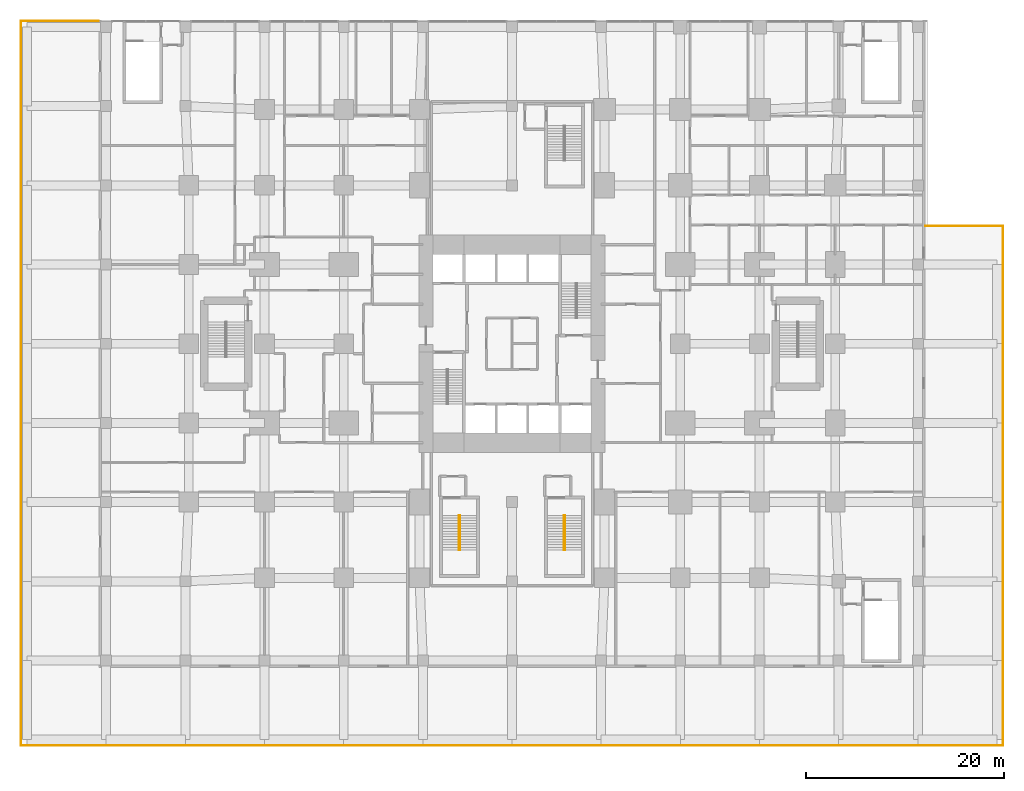
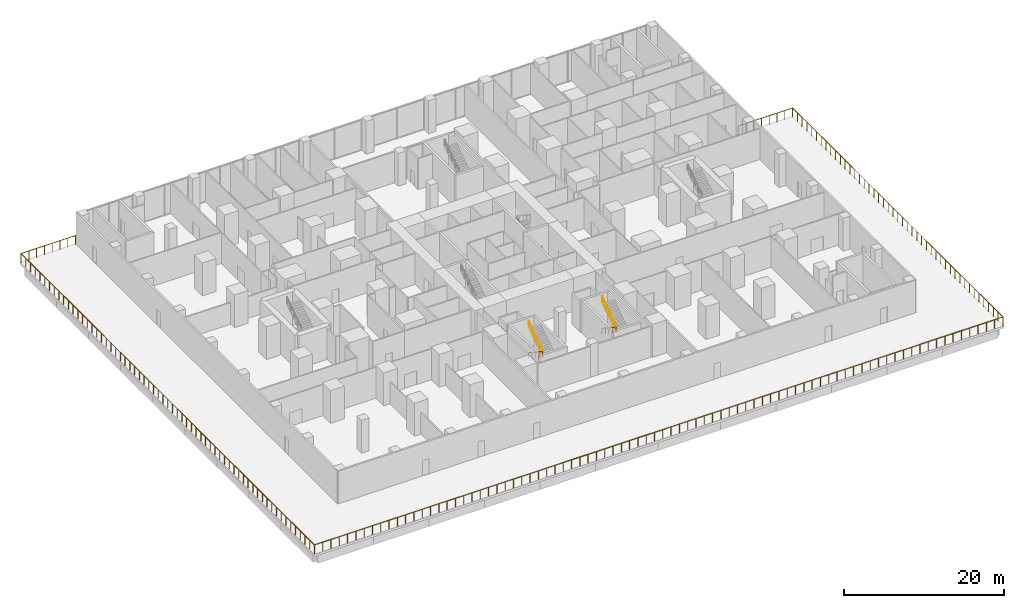
# One storey, part 17 of 19: 6 railings.
"""IFC4 building model written with IfcOpenShell, lengths in metres."""

from ifc_helpers import new_model, si_unit, direction, frame, origin, origin_2d, place, context, subcontext, project, spatial, circle, extrude, material, type_object, element, save


model = new_model("IFC4")

# Units and contexts
model_context = context("Model", 3, precision=1e-05, world=origin(), true_north=direction((0.0, 1.0)))
body_context = subcontext(model_context, "Body", "Model", "MODEL_VIEW")
ifc_project = project(units=[si_unit("LENGTHUNIT", "METRE"), si_unit("AREAUNIT", "SQUARE_METRE"), si_unit("VOLUMEUNIT", "CUBIC_METRE"), si_unit("PLANEANGLEUNIT", "RADIAN"), si_unit("MASSUNIT", "GRAM", prefix="KILO")], contexts=[model_context])

# Site, building, storey
site_placement = place(None, origin())
site = spatial("IfcSite", under=ifc_project, at=site_placement, CompositionType="ELEMENT")
building_placement = place(site_placement, origin())
building = spatial("IfcBuilding", under=site, at=building_placement, Name="Cleftline Residences", CompositionType="ELEMENT")
storey_placement = place(building_placement, frame((0.0, 0.0, 11.0)))
storey = spatial("IfcBuildingStorey", under=building, at=storey_placement, Name="L02", CompositionType="ELEMENT", Elevation=11.0)

# Railings
ifc_material_1 = material(Name="Stainless steel", Category="steel")
railing_type_1 = type_object("IfcRailingType", Name="HANDRAIL 900", PredefinedType="HANDRAIL", material=ifc_material_1)
railing_1_placement = place(storey_placement, frame((27.64990234375, 6.669921875, 0.1787109375)))
element("IfcRailing", 1, at=railing_1_placement, inside=storey, type_object=railing_type_1, Name="Stair handrail", PredefinedType="HANDRAIL", context=body_context, shape_type="SweptSolid", body=[
    extrude(circle(Radius=0.02392578125, at=origin_2d()), frame((0.0, 0.0, 0.8759765625), z_axis=(0.0, -0.834097473627, 0.551617081397), x_axis=(1.0, 0.0, 0.0)), (0.0, 0.0, 1.0), 4.208251953125),
    extrude(circle(Radius=0.02099609375, at=origin_2d()), origin(), (0.0, 0.0, 1.0), 0.851806640625),
    extrude(circle(Radius=0.02099609375, at=origin_2d()), frame((0.0, -0.87744140625, 0.580322265625)), (0.0, 0.0, 1.0), 0.851806640625),
    extrude(circle(Radius=0.02099609375, at=origin_2d()), frame((0.0, -1.7548828125, 1.16064453125)), (0.0, 0.0, 1.0), 0.851806640625),
    extrude(circle(Radius=0.02099609375, at=origin_2d()), frame((0.0, -2.632568359375, 1.740966796875)), (0.0, 0.0, 1.0), 0.851806640625),
    extrude(circle(Radius=0.02099609375, at=origin_2d()), frame((0.0, -3.510009765625, 2.3212890625)), (0.0, 0.0, 1.0), 0.851806640625),
])
railing_2_placement = place(storey_placement, frame((27.75, 3.159912109375, 2.6787109375)))
element("IfcRailing", 2, at=railing_2_placement, inside=storey, type_object=railing_type_1, Name="Stair handrail", PredefinedType="HANDRAIL", context=body_context, shape_type="SweptSolid", body=[
    extrude(circle(Radius=0.02392578125, at=origin_2d()), frame((0.0, 0.0, 0.8759765625), z_axis=(0.0, 0.834097473627, 0.551617081397), x_axis=(-1.0, 0.0, 0.0)), (0.0, 0.0, 1.0), 4.208251953125),
    extrude(circle(Radius=0.02099609375, at=origin_2d()), origin(), (0.0, 0.0, 1.0), 0.851806640625),
    extrude(circle(Radius=0.02099609375, at=origin_2d()), frame((0.0, 0.87744140625, 0.580322265625)), (0.0, 0.0, 1.0), 0.851806640625),
    extrude(circle(Radius=0.02099609375, at=origin_2d()), frame((0.0, 1.7548828125, 1.16064453125)), (0.0, 0.0, 1.0), 0.851806640625),
    extrude(circle(Radius=0.02099609375, at=origin_2d()), frame((0.0, 2.632568359375, 1.740966796875)), (0.0, 0.0, 1.0), 0.851806640625),
    extrude(circle(Radius=0.02099609375, at=origin_2d()), frame((0.0, 3.510009765625, 2.3212890625)), (0.0, 0.0, 1.0), 0.851806640625),
])
railing_3_placement = place(storey_placement, frame((38.25, 6.669921875, 0.1787109375)))
element("IfcRailing", 3, at=railing_3_placement, inside=storey, type_object=railing_type_1, Name="Stair handrail", PredefinedType="HANDRAIL", context=body_context, shape_type="SweptSolid", body=[
    extrude(circle(Radius=0.02392578125, at=origin_2d()), frame((0.0, 0.0, 0.8759765625), z_axis=(0.0, -0.834097473627, 0.551617081397), x_axis=(1.0, 0.0, 0.0)), (0.0, 0.0, 1.0), 4.208251953125),
    extrude(circle(Radius=0.02099609375, at=origin_2d()), origin(), (0.0, 0.0, 1.0), 0.851806640625),
    extrude(circle(Radius=0.02099609375, at=origin_2d()), frame((0.0, -0.87744140625, 0.580322265625)), (0.0, 0.0, 1.0), 0.851806640625),
    extrude(circle(Radius=0.02099609375, at=origin_2d()), frame((0.0, -1.7548828125, 1.16064453125)), (0.0, 0.0, 1.0), 0.851806640625),
    extrude(circle(Radius=0.02099609375, at=origin_2d()), frame((0.0, -2.632568359375, 1.740966796875)), (0.0, 0.0, 1.0), 0.851806640625),
    extrude(circle(Radius=0.02099609375, at=origin_2d()), frame((0.0, -3.510009765625, 2.3212890625)), (0.0, 0.0, 1.0), 0.851806640625),
])
railing_4_placement = place(storey_placement, frame((38.35009765625, 3.159912109375, 2.6787109375)))
element("IfcRailing", 4, at=railing_4_placement, inside=storey, type_object=railing_type_1, Name="Stair handrail", PredefinedType="HANDRAIL", context=body_context, shape_type="SweptSolid", body=[
    extrude(circle(Radius=0.02392578125, at=origin_2d()), frame((0.0, 0.0, 0.8759765625), z_axis=(0.0, 0.834097473627, 0.551617081397), x_axis=(-1.0, 0.0, 0.0)), (0.0, 0.0, 1.0), 4.208251953125),
    extrude(circle(Radius=0.02099609375, at=origin_2d()), origin(), (0.0, 0.0, 1.0), 0.851806640625),
    extrude(circle(Radius=0.02099609375, at=origin_2d()), frame((0.0, 0.87744140625, 0.580322265625)), (0.0, 0.0, 1.0), 0.851806640625),
    extrude(circle(Radius=0.02099609375, at=origin_2d()), frame((0.0, 1.7548828125, 1.16064453125)), (0.0, 0.0, 1.0), 0.851806640625),
    extrude(circle(Radius=0.02099609375, at=origin_2d()), frame((0.0, 2.632568359375, 1.740966796875)), (0.0, 0.0, 1.0), 0.851806640625),
    extrude(circle(Radius=0.02099609375, at=origin_2d()), frame((0.0, 3.510009765625, 2.3212890625)), (0.0, 0.0, 1.0), 0.851806640625),
])
ifc_material_2 = material(Name="Stainless steel and laminated glass", Category="steel")
railing_type_2 = type_object("IfcRailingType", Name="TERRACE GUARD 1400", PredefinedType="GUARDRAIL", material=ifc_material_2)
railing_5_placement = place(storey_placement, frame((-16.60009765625, -16.60009765625, 0.0)))
element("IfcRailing", 5, at=railing_5_placement, inside=storey, type_object=railing_type_2, Name="Terrace guard", PredefinedType="GUARDRAIL", context=body_context, shape_type="SweptSolid", body=[
    extrude(circle(Radius=0.02392578125, at=origin_2d()), frame((0.0, 0.0, 1.3759765625), z_axis=(0.0, 1.0, 0.0), x_axis=(-1.0, 0.0, 0.0)), (0.0, 0.0, 1.0), 73.2001953125),
    extrude(circle(Radius=0.02392578125, at=origin_2d()), frame((0.0, 73.2001953125, 1.3759765625), z_axis=(1.0, 0.0, 0.0), x_axis=(0.0, 1.0, 0.0)), (0.0, 0.0, 1.0), 7.85009765625),
    extrude(circle(Radius=0.02099609375, at=origin_2d()), origin(), (0.0, 0.0, 1.0), 1.351806640625),
    extrude(circle(Radius=0.02099609375, at=origin_2d()), frame((0.0, 1.1806640625, 0.0)), (0.0, 0.0, 1.0), 1.351806640625),
    extrude(circle(Radius=0.02099609375, at=origin_2d()), frame((0.0, 2.361328125, 0.0)), (0.0, 0.0, 1.0), 1.351806640625),
    extrude(circle(Radius=0.02099609375, at=origin_2d()), frame((0.0, 3.5419921875, 0.0)), (0.0, 0.0, 1.0), 1.351806640625),
    extrude(circle(Radius=0.02099609375, at=origin_2d()), frame((0.0, 4.72265625, 0.0)), (0.0, 0.0, 1.0), 1.351806640625),
    extrude(circle(Radius=0.02099609375, at=origin_2d()), frame((0.0, 5.9033203125, 0.0)), (0.0, 0.0, 1.0), 1.351806640625),
    extrude(circle(Radius=0.02099609375, at=origin_2d()), frame((0.0, 7.083984375, 0.0)), (0.0, 0.0, 1.0), 1.351806640625),
    extrude(circle(Radius=0.02099609375, at=origin_2d()), frame((0.0, 8.2646484375, 0.0)), (0.0, 0.0, 1.0), 1.351806640625),
    extrude(circle(Radius=0.02099609375, at=origin_2d()), frame((0.0, 9.445068359375, 0.0)), (0.0, 0.0, 1.0), 1.351806640625),
    extrude(circle(Radius=0.02099609375, at=origin_2d()), frame((0.0, 10.625732421875, 0.0)), (0.0, 0.0, 1.0), 1.351806640625),
    extrude(circle(Radius=0.02099609375, at=origin_2d()), frame((0.0, 11.806396484375, 0.0)), (0.0, 0.0, 1.0), 1.351806640625),
    extrude(circle(Radius=0.02099609375, at=origin_2d()), frame((0.0, 12.987060546875, 0.0)), (0.0, 0.0, 1.0), 1.351806640625),
    extrude(circle(Radius=0.02099609375, at=origin_2d()), frame((0.0, 14.167724609375, 0.0)), (0.0, 0.0, 1.0), 1.351806640625),
    extrude(circle(Radius=0.02099609375, at=origin_2d()), frame((0.0, 15.348388671875, 0.0)), (0.0, 0.0, 1.0), 1.351806640625),
    extrude(circle(Radius=0.02099609375, at=origin_2d()), frame((0.0, 16.529052734375, 0.0)), (0.0, 0.0, 1.0), 1.351806640625),
    extrude(circle(Radius=0.02099609375, at=origin_2d()), frame((0.0, 17.709716796875, 0.0)), (0.0, 0.0, 1.0), 1.351806640625),
    extrude(circle(Radius=0.02099609375, at=origin_2d()), frame((0.0, 18.890380859375, 0.0)), (0.0, 0.0, 1.0), 1.351806640625),
    extrude(circle(Radius=0.02099609375, at=origin_2d()), frame((0.0, 20.071044921875, 0.0)), (0.0, 0.0, 1.0), 1.351806640625),
    extrude(circle(Radius=0.02099609375, at=origin_2d()), frame((0.0, 21.251708984375, 0.0)), (0.0, 0.0, 1.0), 1.351806640625),
    extrude(circle(Radius=0.02099609375, at=origin_2d()), frame((0.0, 22.432373046875, 0.0)), (0.0, 0.0, 1.0), 1.351806640625),
    extrude(circle(Radius=0.02099609375, at=origin_2d()), frame((0.0, 23.613037109375, 0.0)), (0.0, 0.0, 1.0), 1.351806640625),
    extrude(circle(Radius=0.02099609375, at=origin_2d()), frame((0.0, 24.793701171875, 0.0)), (0.0, 0.0, 1.0), 1.351806640625),
    extrude(circle(Radius=0.02099609375, at=origin_2d()), frame((0.0, 25.974365234375, 0.0)), (0.0, 0.0, 1.0), 1.351806640625),
    extrude(circle(Radius=0.02099609375, at=origin_2d()), frame((0.0, 27.155029296875, 0.0)), (0.0, 0.0, 1.0), 1.351806640625),
    extrude(circle(Radius=0.02099609375, at=origin_2d()), frame((0.0, 28.33544921875, 0.0)), (0.0, 0.0, 1.0), 1.351806640625),
    extrude(circle(Radius=0.02099609375, at=origin_2d()), frame((0.0, 29.51611328125, 0.0)), (0.0, 0.0, 1.0), 1.351806640625),
    extrude(circle(Radius=0.02099609375, at=origin_2d()), frame((0.0, 30.69677734375, 0.0)), (0.0, 0.0, 1.0), 1.351806640625),
    extrude(circle(Radius=0.02099609375, at=origin_2d()), frame((0.0, 31.87744140625, 0.0)), (0.0, 0.0, 1.0), 1.351806640625),
    extrude(circle(Radius=0.02099609375, at=origin_2d()), frame((0.0, 33.05810546875, 0.0)), (0.0, 0.0, 1.0), 1.351806640625),
    extrude(circle(Radius=0.02099609375, at=origin_2d()), frame((0.0, 34.23876953125, 0.0)), (0.0, 0.0, 1.0), 1.351806640625),
    extrude(circle(Radius=0.02099609375, at=origin_2d()), frame((0.0, 35.41943359375, 0.0)), (0.0, 0.0, 1.0), 1.351806640625),
    extrude(circle(Radius=0.02099609375, at=origin_2d()), frame((0.0, 36.60009765625, 0.0)), (0.0, 0.0, 1.0), 1.351806640625),
    extrude(circle(Radius=0.02099609375, at=origin_2d()), frame((0.0, 37.78076171875, 0.0)), (0.0, 0.0, 1.0), 1.351806640625),
    extrude(circle(Radius=0.02099609375, at=origin_2d()), frame((0.0, 38.96142578125, 0.0)), (0.0, 0.0, 1.0), 1.351806640625),
    extrude(circle(Radius=0.02099609375, at=origin_2d()), frame((0.0, 40.14208984375, 0.0)), (0.0, 0.0, 1.0), 1.351806640625),
    extrude(circle(Radius=0.02099609375, at=origin_2d()), frame((0.0, 41.32275390625, 0.0)), (0.0, 0.0, 1.0), 1.351806640625),
    extrude(circle(Radius=0.02099609375, at=origin_2d()), frame((0.0, 42.50341796875, 0.0)), (0.0, 0.0, 1.0), 1.351806640625),
    extrude(circle(Radius=0.02099609375, at=origin_2d()), frame((0.0, 43.68408203125, 0.0)), (0.0, 0.0, 1.0), 1.351806640625),
    extrude(circle(Radius=0.02099609375, at=origin_2d()), frame((0.0, 44.86474609375, 0.0)), (0.0, 0.0, 1.0), 1.351806640625),
    extrude(circle(Radius=0.02099609375, at=origin_2d()), frame((0.0, 46.045166015625, 0.0)), (0.0, 0.0, 1.0), 1.351806640625),
    extrude(circle(Radius=0.02099609375, at=origin_2d()), frame((0.0, 47.225830078125, 0.0)), (0.0, 0.0, 1.0), 1.351806640625),
    extrude(circle(Radius=0.02099609375, at=origin_2d()), frame((0.0, 48.406494140625, 0.0)), (0.0, 0.0, 1.0), 1.351806640625),
    extrude(circle(Radius=0.02099609375, at=origin_2d()), frame((0.0, 49.587158203125, 0.0)), (0.0, 0.0, 1.0), 1.351806640625),
    extrude(circle(Radius=0.02099609375, at=origin_2d()), frame((0.0, 50.767822265625, 0.0)), (0.0, 0.0, 1.0), 1.351806640625),
    extrude(circle(Radius=0.02099609375, at=origin_2d()), frame((0.0, 51.948486328125, 0.0)), (0.0, 0.0, 1.0), 1.351806640625),
    extrude(circle(Radius=0.02099609375, at=origin_2d()), frame((0.0, 53.129150390625, 0.0)), (0.0, 0.0, 1.0), 1.351806640625),
    extrude(circle(Radius=0.02099609375, at=origin_2d()), frame((0.0, 54.309814453125, 0.0)), (0.0, 0.0, 1.0), 1.351806640625),
    extrude(circle(Radius=0.02099609375, at=origin_2d()), frame((0.0, 55.490478515625, 0.0)), (0.0, 0.0, 1.0), 1.351806640625),
    extrude(circle(Radius=0.02099609375, at=origin_2d()), frame((0.0, 56.671142578125, 0.0)), (0.0, 0.0, 1.0), 1.351806640625),
    extrude(circle(Radius=0.02099609375, at=origin_2d()), frame((0.0, 57.851806640625, 0.0)), (0.0, 0.0, 1.0), 1.351806640625),
    extrude(circle(Radius=0.02099609375, at=origin_2d()), frame((0.0, 59.032470703125, 0.0)), (0.0, 0.0, 1.0), 1.351806640625),
    extrude(circle(Radius=0.02099609375, at=origin_2d()), frame((0.0, 60.213134765625, 0.0)), (0.0, 0.0, 1.0), 1.351806640625),
    extrude(circle(Radius=0.02099609375, at=origin_2d()), frame((0.0, 61.393798828125, 0.0)), (0.0, 0.0, 1.0), 1.351806640625),
    extrude(circle(Radius=0.02099609375, at=origin_2d()), frame((0.0, 62.574462890625, 0.0)), (0.0, 0.0, 1.0), 1.351806640625),
    extrude(circle(Radius=0.02099609375, at=origin_2d()), frame((0.0, 63.755126953125, 0.0)), (0.0, 0.0, 1.0), 1.351806640625),
    extrude(circle(Radius=0.02099609375, at=origin_2d()), frame((0.0, 64.935546875, 0.0)), (0.0, 0.0, 1.0), 1.351806640625),
    extrude(circle(Radius=0.02099609375, at=origin_2d()), frame((0.0, 66.1162109375, 0.0)), (0.0, 0.0, 1.0), 1.351806640625),
    extrude(circle(Radius=0.02099609375, at=origin_2d()), frame((0.0, 67.296875, 0.0)), (0.0, 0.0, 1.0), 1.351806640625),
    extrude(circle(Radius=0.02099609375, at=origin_2d()), frame((0.0, 68.4775390625, 0.0)), (0.0, 0.0, 1.0), 1.351806640625),
    extrude(circle(Radius=0.02099609375, at=origin_2d()), frame((0.0, 69.658203125, 0.0)), (0.0, 0.0, 1.0), 1.351806640625),
    extrude(circle(Radius=0.02099609375, at=origin_2d()), frame((0.0, 70.8388671875, 0.0)), (0.0, 0.0, 1.0), 1.351806640625),
    extrude(circle(Radius=0.02099609375, at=origin_2d()), frame((0.0, 72.01953125, 0.0)), (0.0, 0.0, 1.0), 1.351806640625),
    extrude(circle(Radius=0.02099609375, at=origin_2d()), frame((0.0, 73.2001953125, 0.0)), (0.0, 0.0, 1.0), 1.351806640625),
    extrude(circle(Radius=0.02099609375, at=origin_2d()), frame((1.121337890625, 73.2001953125, 0.0)), (0.0, 0.0, 1.0), 1.351806640625),
    extrude(circle(Radius=0.02099609375, at=origin_2d()), frame((2.242919921875, 73.2001953125, 0.0)), (0.0, 0.0, 1.0), 1.351806640625),
    extrude(circle(Radius=0.02099609375, at=origin_2d()), frame((3.3642578125, 73.2001953125, 0.0)), (0.0, 0.0, 1.0), 1.351806640625),
    extrude(circle(Radius=0.02099609375, at=origin_2d()), frame((4.48583984375, 73.2001953125, 0.0)), (0.0, 0.0, 1.0), 1.351806640625),
    extrude(circle(Radius=0.02099609375, at=origin_2d()), frame((5.607177734375, 73.2001953125, 0.0)), (0.0, 0.0, 1.0), 1.351806640625),
    extrude(circle(Radius=0.02099609375, at=origin_2d()), frame((6.728759765625, 73.2001953125, 0.0)), (0.0, 0.0, 1.0), 1.351806640625),
    extrude(circle(Radius=0.02099609375, at=origin_2d()), frame((7.85009765625, 73.2001953125, 0.0)), (0.0, 0.0, 1.0), 1.351806640625),
])
railing_6_placement = place(storey_placement, frame((74.75, 35.89990234375, 0.0)))
element("IfcRailing", 6, at=railing_6_placement, inside=storey, type_object=railing_type_2, Name="Terrace guard", PredefinedType="GUARDRAIL", context=body_context, shape_type="SweptSolid", body=[
    extrude(circle(Radius=0.02392578125, at=origin_2d()), frame((0.0, 0.0, 1.3759765625), z_axis=(1.0, 0.0, 0.0), x_axis=(0.0, 1.0, 0.0)), (0.0, 0.0, 1.0), 7.85009765625),
    extrude(circle(Radius=0.02392578125, at=origin_2d()), frame((7.85009765625, 0.0, 1.3759765625), z_axis=(0.0, -1.0, 0.0), x_axis=(1.0, 0.0, 0.0)), (0.0, 0.0, 1.0), 52.5),
    extrude(circle(Radius=0.02392578125, at=origin_2d()), frame((7.85009765625, -52.5, 1.3759765625), z_axis=(-1.0, 0.0, 0.0), x_axis=(0.0, -1.0, 0.0)), (0.0, 0.0, 1.0), 99.2001953125),
    extrude(circle(Radius=0.02099609375, at=origin_2d()), origin(), (0.0, 0.0, 1.0), 1.351806640625),
    extrude(circle(Radius=0.02099609375, at=origin_2d()), frame((1.121337890625, 0.0, 0.0)), (0.0, 0.0, 1.0), 1.351806640625),
    extrude(circle(Radius=0.02099609375, at=origin_2d()), frame((2.242919921875, 0.0, 0.0)), (0.0, 0.0, 1.0), 1.351806640625),
    extrude(circle(Radius=0.02099609375, at=origin_2d()), frame((3.3642578125, 0.0, 0.0)), (0.0, 0.0, 1.0), 1.351806640625),
    extrude(circle(Radius=0.02099609375, at=origin_2d()), frame((4.48583984375, 0.0, 0.0)), (0.0, 0.0, 1.0), 1.351806640625),
    extrude(circle(Radius=0.02099609375, at=origin_2d()), frame((5.607177734375, 0.0, 0.0)), (0.0, 0.0, 1.0), 1.351806640625),
    extrude(circle(Radius=0.02099609375, at=origin_2d()), frame((6.728759765625, 0.0, 0.0)), (0.0, 0.0, 1.0), 1.351806640625),
    extrude(circle(Radius=0.02099609375, at=origin_2d()), frame((7.85009765625, 0.0, 0.0)), (0.0, 0.0, 1.0), 1.351806640625),
    extrude(circle(Radius=0.02099609375, at=origin_2d()), frame((7.85009765625, -1.193115234375, 0.0)), (0.0, 0.0, 1.0), 1.351806640625),
    extrude(circle(Radius=0.02099609375, at=origin_2d()), frame((7.85009765625, -2.386474609375, 0.0)), (0.0, 0.0, 1.0), 1.351806640625),
    extrude(circle(Radius=0.02099609375, at=origin_2d()), frame((7.85009765625, -3.57958984375, 0.0)), (0.0, 0.0, 1.0), 1.351806640625),
    extrude(circle(Radius=0.02099609375, at=origin_2d()), frame((7.85009765625, -4.772705078125, 0.0)), (0.0, 0.0, 1.0), 1.351806640625),
    extrude(circle(Radius=0.02099609375, at=origin_2d()), frame((7.85009765625, -5.9658203125, 0.0)), (0.0, 0.0, 1.0), 1.351806640625),
    extrude(circle(Radius=0.02099609375, at=origin_2d()), frame((7.85009765625, -7.1591796875, 0.0)), (0.0, 0.0, 1.0), 1.351806640625),
    extrude(circle(Radius=0.02099609375, at=origin_2d()), frame((7.85009765625, -8.352294921875, 0.0)), (0.0, 0.0, 1.0), 1.351806640625),
    extrude(circle(Radius=0.02099609375, at=origin_2d()), frame((7.85009765625, -9.54541015625, 0.0)), (0.0, 0.0, 1.0), 1.351806640625),
    extrude(circle(Radius=0.02099609375, at=origin_2d()), frame((7.85009765625, -10.738525390625, 0.0)), (0.0, 0.0, 1.0), 1.351806640625),
    extrude(circle(Radius=0.02099609375, at=origin_2d()), frame((7.85009765625, -11.931884765625, 0.0)), (0.0, 0.0, 1.0), 1.351806640625),
    extrude(circle(Radius=0.02099609375, at=origin_2d()), frame((7.85009765625, -13.125, 0.0)), (0.0, 0.0, 1.0), 1.351806640625),
    extrude(circle(Radius=0.02099609375, at=origin_2d()), frame((7.85009765625, -14.318115234375, 0.0)), (0.0, 0.0, 1.0), 1.351806640625),
    extrude(circle(Radius=0.02099609375, at=origin_2d()), frame((7.85009765625, -15.511474609375, 0.0)), (0.0, 0.0, 1.0), 1.351806640625),
    extrude(circle(Radius=0.02099609375, at=origin_2d()), frame((7.85009765625, -16.70458984375, 0.0)), (0.0, 0.0, 1.0), 1.351806640625),
    extrude(circle(Radius=0.02099609375, at=origin_2d()), frame((7.85009765625, -17.897705078125, 0.0)), (0.0, 0.0, 1.0), 1.351806640625),
    extrude(circle(Radius=0.02099609375, at=origin_2d()), frame((7.85009765625, -19.0908203125, 0.0)), (0.0, 0.0, 1.0), 1.351806640625),
    extrude(circle(Radius=0.02099609375, at=origin_2d()), frame((7.85009765625, -20.2841796875, 0.0)), (0.0, 0.0, 1.0), 1.351806640625),
    extrude(circle(Radius=0.02099609375, at=origin_2d()), frame((7.85009765625, -21.477294921875, 0.0)), (0.0, 0.0, 1.0), 1.351806640625),
    extrude(circle(Radius=0.02099609375, at=origin_2d()), frame((7.85009765625, -22.67041015625, 0.0)), (0.0, 0.0, 1.0), 1.351806640625),
    extrude(circle(Radius=0.02099609375, at=origin_2d()), frame((7.85009765625, -23.863525390625, 0.0)), (0.0, 0.0, 1.0), 1.351806640625),
    extrude(circle(Radius=0.02099609375, at=origin_2d()), frame((7.85009765625, -25.056884765625, 0.0)), (0.0, 0.0, 1.0), 1.351806640625),
    extrude(circle(Radius=0.02099609375, at=origin_2d()), frame((7.85009765625, -26.25, 0.0)), (0.0, 0.0, 1.0), 1.351806640625),
    extrude(circle(Radius=0.02099609375, at=origin_2d()), frame((7.85009765625, -27.443115234375, 0.0)), (0.0, 0.0, 1.0), 1.351806640625),
    extrude(circle(Radius=0.02099609375, at=origin_2d()), frame((7.85009765625, -28.636474609375, 0.0)), (0.0, 0.0, 1.0), 1.351806640625),
    extrude(circle(Radius=0.02099609375, at=origin_2d()), frame((7.85009765625, -29.82958984375, 0.0)), (0.0, 0.0, 1.0), 1.351806640625),
    extrude(circle(Radius=0.02099609375, at=origin_2d()), frame((7.85009765625, -31.022705078125, 0.0)), (0.0, 0.0, 1.0), 1.351806640625),
    extrude(circle(Radius=0.02099609375, at=origin_2d()), frame((7.85009765625, -32.2158203125, 0.0)), (0.0, 0.0, 1.0), 1.351806640625),
    extrude(circle(Radius=0.02099609375, at=origin_2d()), frame((7.85009765625, -33.4091796875, 0.0)), (0.0, 0.0, 1.0), 1.351806640625),
    extrude(circle(Radius=0.02099609375, at=origin_2d()), frame((7.85009765625, -34.602294921875, 0.0)), (0.0, 0.0, 1.0), 1.351806640625),
    extrude(circle(Radius=0.02099609375, at=origin_2d()), frame((7.85009765625, -35.79541015625, 0.0)), (0.0, 0.0, 1.0), 1.351806640625),
    extrude(circle(Radius=0.02099609375, at=origin_2d()), frame((7.85009765625, -36.988525390625, 0.0)), (0.0, 0.0, 1.0), 1.351806640625),
    extrude(circle(Radius=0.02099609375, at=origin_2d()), frame((7.85009765625, -38.181884765625, 0.0)), (0.0, 0.0, 1.0), 1.351806640625),
    extrude(circle(Radius=0.02099609375, at=origin_2d()), frame((7.85009765625, -39.375, 0.0)), (0.0, 0.0, 1.0), 1.351806640625),
    extrude(circle(Radius=0.02099609375, at=origin_2d()), frame((7.85009765625, -40.568115234375, 0.0)), (0.0, 0.0, 1.0), 1.351806640625),
    extrude(circle(Radius=0.02099609375, at=origin_2d()), frame((7.85009765625, -41.761474609375, 0.0)), (0.0, 0.0, 1.0), 1.351806640625),
    extrude(circle(Radius=0.02099609375, at=origin_2d()), frame((7.85009765625, -42.95458984375, 0.0)), (0.0, 0.0, 1.0), 1.351806640625),
    extrude(circle(Radius=0.02099609375, at=origin_2d()), frame((7.85009765625, -44.147705078125, 0.0)), (0.0, 0.0, 1.0), 1.351806640625),
    extrude(circle(Radius=0.02099609375, at=origin_2d()), frame((7.85009765625, -45.3408203125, 0.0)), (0.0, 0.0, 1.0), 1.351806640625),
    extrude(circle(Radius=0.02099609375, at=origin_2d()), frame((7.85009765625, -46.5341796875, 0.0)), (0.0, 0.0, 1.0), 1.351806640625),
    extrude(circle(Radius=0.02099609375, at=origin_2d()), frame((7.85009765625, -47.727294921875, 0.0)), (0.0, 0.0, 1.0), 1.351806640625),
    extrude(circle(Radius=0.02099609375, at=origin_2d()), frame((7.85009765625, -48.92041015625, 0.0)), (0.0, 0.0, 1.0), 1.351806640625),
    extrude(circle(Radius=0.02099609375, at=origin_2d()), frame((7.85009765625, -50.113525390625, 0.0)), (0.0, 0.0, 1.0), 1.351806640625),
    extrude(circle(Radius=0.02099609375, at=origin_2d()), frame((7.85009765625, -51.306884765625, 0.0)), (0.0, 0.0, 1.0), 1.351806640625),
    extrude(circle(Radius=0.02099609375, at=origin_2d()), frame((7.85009765625, -52.5, 0.0)), (0.0, 0.0, 1.0), 1.351806640625),
    extrude(circle(Radius=0.02099609375, at=origin_2d()), frame((6.655029296875, -52.5, 0.0)), (0.0, 0.0, 1.0), 1.351806640625),
    extrude(circle(Radius=0.02099609375, at=origin_2d()), frame((5.459716796875, -52.5, 0.0)), (0.0, 0.0, 1.0), 1.351806640625),
    extrude(circle(Radius=0.02099609375, at=origin_2d()), frame((4.2646484375, -52.5, 0.0)), (0.0, 0.0, 1.0), 1.351806640625),
    extrude(circle(Radius=0.02099609375, at=origin_2d()), frame((3.0693359375, -52.5, 0.0)), (0.0, 0.0, 1.0), 1.351806640625),
    extrude(circle(Radius=0.02099609375, at=origin_2d()), frame((1.874267578125, -52.5, 0.0)), (0.0, 0.0, 1.0), 1.351806640625),
    extrude(circle(Radius=0.02099609375, at=origin_2d()), frame((0.678955078125, -52.5, 0.0)), (0.0, 0.0, 1.0), 1.351806640625),
    extrude(circle(Radius=0.02099609375, at=origin_2d()), frame((-0.51611328125, -52.5, 0.0)), (0.0, 0.0, 1.0), 1.351806640625),
    extrude(circle(Radius=0.02099609375, at=origin_2d()), frame((-1.71142578125, -52.5, 0.0)), (0.0, 0.0, 1.0), 1.351806640625),
    extrude(circle(Radius=0.02099609375, at=origin_2d()), frame((-2.906494140625, -52.5, 0.0)), (0.0, 0.0, 1.0), 1.351806640625),
    extrude(circle(Radius=0.02099609375, at=origin_2d()), frame((-4.101806640625, -52.5, 0.0)), (0.0, 0.0, 1.0), 1.351806640625),
    extrude(circle(Radius=0.02099609375, at=origin_2d()), frame((-5.296875, -52.5, 0.0)), (0.0, 0.0, 1.0), 1.351806640625),
    extrude(circle(Radius=0.02099609375, at=origin_2d()), frame((-6.4921875, -52.5, 0.0)), (0.0, 0.0, 1.0), 1.351806640625),
    extrude(circle(Radius=0.02099609375, at=origin_2d()), frame((-7.687255859375, -52.5, 0.0)), (0.0, 0.0, 1.0), 1.351806640625),
    extrude(circle(Radius=0.02099609375, at=origin_2d()), frame((-8.882568359375, -52.5, 0.0)), (0.0, 0.0, 1.0), 1.351806640625),
    extrude(circle(Radius=0.02099609375, at=origin_2d()), frame((-10.07763671875, -52.5, 0.0)), (0.0, 0.0, 1.0), 1.351806640625),
    extrude(circle(Radius=0.02099609375, at=origin_2d()), frame((-11.27294921875, -52.5, 0.0)), (0.0, 0.0, 1.0), 1.351806640625),
    extrude(circle(Radius=0.02099609375, at=origin_2d()), frame((-12.468017578125, -52.5, 0.0)), (0.0, 0.0, 1.0), 1.351806640625),
    extrude(circle(Radius=0.02099609375, at=origin_2d()), frame((-13.6630859375, -52.5, 0.0)), (0.0, 0.0, 1.0), 1.351806640625),
    extrude(circle(Radius=0.02099609375, at=origin_2d()), frame((-14.8583984375, -52.5, 0.0)), (0.0, 0.0, 1.0), 1.351806640625),
    extrude(circle(Radius=0.02099609375, at=origin_2d()), frame((-16.053466796875, -52.5, 0.0)), (0.0, 0.0, 1.0), 1.351806640625),
    extrude(circle(Radius=0.02099609375, at=origin_2d()), frame((-17.248779296875, -52.5, 0.0)), (0.0, 0.0, 1.0), 1.351806640625),
    extrude(circle(Radius=0.02099609375, at=origin_2d()), frame((-18.44384765625, -52.5, 0.0)), (0.0, 0.0, 1.0), 1.351806640625),
    extrude(circle(Radius=0.02099609375, at=origin_2d()), frame((-19.63916015625, -52.5, 0.0)), (0.0, 0.0, 1.0), 1.351806640625),
    extrude(circle(Radius=0.02099609375, at=origin_2d()), frame((-20.834228515625, -52.5, 0.0)), (0.0, 0.0, 1.0), 1.351806640625),
    extrude(circle(Radius=0.02099609375, at=origin_2d()), frame((-22.029541015625, -52.5, 0.0)), (0.0, 0.0, 1.0), 1.351806640625),
    extrude(circle(Radius=0.02099609375, at=origin_2d()), frame((-23.224609375, -52.5, 0.0)), (0.0, 0.0, 1.0), 1.351806640625),
    extrude(circle(Radius=0.02099609375, at=origin_2d()), frame((-24.419921875, -52.5, 0.0)), (0.0, 0.0, 1.0), 1.351806640625),
    extrude(circle(Radius=0.02099609375, at=origin_2d()), frame((-25.614990234375, -52.5, 0.0)), (0.0, 0.0, 1.0), 1.351806640625),
    extrude(circle(Radius=0.02099609375, at=origin_2d()), frame((-26.810302734375, -52.5, 0.0)), (0.0, 0.0, 1.0), 1.351806640625),
    extrude(circle(Radius=0.02099609375, at=origin_2d()), frame((-28.00537109375, -52.5, 0.0)), (0.0, 0.0, 1.0), 1.351806640625),
    extrude(circle(Radius=0.02099609375, at=origin_2d()), frame((-29.20068359375, -52.5, 0.0)), (0.0, 0.0, 1.0), 1.351806640625),
    extrude(circle(Radius=0.02099609375, at=origin_2d()), frame((-30.395751953125, -52.5, 0.0)), (0.0, 0.0, 1.0), 1.351806640625),
    extrude(circle(Radius=0.02099609375, at=origin_2d()), frame((-31.591064453125, -52.5, 0.0)), (0.0, 0.0, 1.0), 1.351806640625),
    extrude(circle(Radius=0.02099609375, at=origin_2d()), frame((-32.7861328125, -52.5, 0.0)), (0.0, 0.0, 1.0), 1.351806640625),
    extrude(circle(Radius=0.02099609375, at=origin_2d()), frame((-33.981201171875, -52.5, 0.0)), (0.0, 0.0, 1.0), 1.351806640625),
    extrude(circle(Radius=0.02099609375, at=origin_2d()), frame((-35.176513671875, -52.5, 0.0)), (0.0, 0.0, 1.0), 1.351806640625),
    extrude(circle(Radius=0.02099609375, at=origin_2d()), frame((-36.37158203125, -52.5, 0.0)), (0.0, 0.0, 1.0), 1.351806640625),
    extrude(circle(Radius=0.02099609375, at=origin_2d()), frame((-37.56689453125, -52.5, 0.0)), (0.0, 0.0, 1.0), 1.351806640625),
    extrude(circle(Radius=0.02099609375, at=origin_2d()), frame((-38.761962890625, -52.5, 0.0)), (0.0, 0.0, 1.0), 1.351806640625),
    extrude(circle(Radius=0.02099609375, at=origin_2d()), frame((-39.957275390625, -52.5, 0.0)), (0.0, 0.0, 1.0), 1.351806640625),
    extrude(circle(Radius=0.02099609375, at=origin_2d()), frame((-41.15234375, -52.5, 0.0)), (0.0, 0.0, 1.0), 1.351806640625),
    extrude(circle(Radius=0.02099609375, at=origin_2d()), frame((-42.34765625, -52.5, 0.0)), (0.0, 0.0, 1.0), 1.351806640625),
    extrude(circle(Radius=0.02099609375, at=origin_2d()), frame((-43.542724609375, -52.5, 0.0)), (0.0, 0.0, 1.0), 1.351806640625),
    extrude(circle(Radius=0.02099609375, at=origin_2d()), frame((-44.738037109375, -52.5, 0.0)), (0.0, 0.0, 1.0), 1.351806640625),
    extrude(circle(Radius=0.02099609375, at=origin_2d()), frame((-45.93310546875, -52.5, 0.0)), (0.0, 0.0, 1.0), 1.351806640625),
    extrude(circle(Radius=0.02099609375, at=origin_2d()), frame((-47.12841796875, -52.5, 0.0)), (0.0, 0.0, 1.0), 1.351806640625),
    extrude(circle(Radius=0.02099609375, at=origin_2d()), frame((-48.323486328125, -52.5, 0.0)), (0.0, 0.0, 1.0), 1.351806640625),
    extrude(circle(Radius=0.02099609375, at=origin_2d()), frame((-49.518798828125, -52.5, 0.0)), (0.0, 0.0, 1.0), 1.351806640625),
    extrude(circle(Radius=0.02099609375, at=origin_2d()), frame((-50.7138671875, -52.5, 0.0)), (0.0, 0.0, 1.0), 1.351806640625),
    extrude(circle(Radius=0.02099609375, at=origin_2d()), frame((-51.908935546875, -52.5, 0.0)), (0.0, 0.0, 1.0), 1.351806640625),
    extrude(circle(Radius=0.02099609375, at=origin_2d()), frame((-53.104248046875, -52.5, 0.0)), (0.0, 0.0, 1.0), 1.351806640625),
    extrude(circle(Radius=0.02099609375, at=origin_2d()), frame((-54.29931640625, -52.5, 0.0)), (0.0, 0.0, 1.0), 1.351806640625),
    extrude(circle(Radius=0.02099609375, at=origin_2d()), frame((-55.49462890625, -52.5, 0.0)), (0.0, 0.0, 1.0), 1.351806640625),
    extrude(circle(Radius=0.02099609375, at=origin_2d()), frame((-56.689697265625, -52.5, 0.0)), (0.0, 0.0, 1.0), 1.351806640625),
    extrude(circle(Radius=0.02099609375, at=origin_2d()), frame((-57.885009765625, -52.5, 0.0)), (0.0, 0.0, 1.0), 1.351806640625),
    extrude(circle(Radius=0.02099609375, at=origin_2d()), frame((-59.080078125, -52.5, 0.0)), (0.0, 0.0, 1.0), 1.351806640625),
    extrude(circle(Radius=0.02099609375, at=origin_2d()), frame((-60.275390625, -52.5, 0.0)), (0.0, 0.0, 1.0), 1.351806640625),
    extrude(circle(Radius=0.02099609375, at=origin_2d()), frame((-61.470458984375, -52.5, 0.0)), (0.0, 0.0, 1.0), 1.351806640625),
    extrude(circle(Radius=0.02099609375, at=origin_2d()), frame((-62.665771484375, -52.5, 0.0)), (0.0, 0.0, 1.0), 1.351806640625),
    extrude(circle(Radius=0.02099609375, at=origin_2d()), frame((-63.86083984375, -52.5, 0.0)), (0.0, 0.0, 1.0), 1.351806640625),
    extrude(circle(Radius=0.02099609375, at=origin_2d()), frame((-65.05615234375, -52.5, 0.0)), (0.0, 0.0, 1.0), 1.351806640625),
    extrude(circle(Radius=0.02099609375, at=origin_2d()), frame((-66.251220703125, -52.5, 0.0)), (0.0, 0.0, 1.0), 1.351806640625),
    extrude(circle(Radius=0.02099609375, at=origin_2d()), frame((-67.446533203125, -52.5, 0.0)), (0.0, 0.0, 1.0), 1.351806640625),
    extrude(circle(Radius=0.02099609375, at=origin_2d()), frame((-68.6416015625, -52.5, 0.0)), (0.0, 0.0, 1.0), 1.351806640625),
    extrude(circle(Radius=0.02099609375, at=origin_2d()), frame((-69.8369140625, -52.5, 0.0)), (0.0, 0.0, 1.0), 1.351806640625),
    extrude(circle(Radius=0.02099609375, at=origin_2d()), frame((-71.031982421875, -52.5, 0.0)), (0.0, 0.0, 1.0), 1.351806640625),
    extrude(circle(Radius=0.02099609375, at=origin_2d()), frame((-72.22705078125, -52.5, 0.0)), (0.0, 0.0, 1.0), 1.351806640625),
    extrude(circle(Radius=0.02099609375, at=origin_2d()), frame((-73.42236328125, -52.5, 0.0)), (0.0, 0.0, 1.0), 1.351806640625),
    extrude(circle(Radius=0.02099609375, at=origin_2d()), frame((-74.617431640625, -52.5, 0.0)), (0.0, 0.0, 1.0), 1.351806640625),
    extrude(circle(Radius=0.02099609375, at=origin_2d()), frame((-75.812744140625, -52.5, 0.0)), (0.0, 0.0, 1.0), 1.351806640625),
    extrude(circle(Radius=0.02099609375, at=origin_2d()), frame((-77.0078125, -52.5, 0.0)), (0.0, 0.0, 1.0), 1.351806640625),
    extrude(circle(Radius=0.02099609375, at=origin_2d()), frame((-78.203125, -52.5, 0.0)), (0.0, 0.0, 1.0), 1.351806640625),
    extrude(circle(Radius=0.02099609375, at=origin_2d()), frame((-79.398193359375, -52.5, 0.0)), (0.0, 0.0, 1.0), 1.351806640625),
    extrude(circle(Radius=0.02099609375, at=origin_2d()), frame((-80.593505859375, -52.5, 0.0)), (0.0, 0.0, 1.0), 1.351806640625),
    extrude(circle(Radius=0.02099609375, at=origin_2d()), frame((-81.78857421875, -52.5, 0.0)), (0.0, 0.0, 1.0), 1.351806640625),
    extrude(circle(Radius=0.02099609375, at=origin_2d()), frame((-82.98388671875, -52.5, 0.0)), (0.0, 0.0, 1.0), 1.351806640625),
    extrude(circle(Radius=0.02099609375, at=origin_2d()), frame((-84.178955078125, -52.5, 0.0)), (0.0, 0.0, 1.0), 1.351806640625),
    extrude(circle(Radius=0.02099609375, at=origin_2d()), frame((-85.374267578125, -52.5, 0.0)), (0.0, 0.0, 1.0), 1.351806640625),
    extrude(circle(Radius=0.02099609375, at=origin_2d()), frame((-86.5693359375, -52.5, 0.0)), (0.0, 0.0, 1.0), 1.351806640625),
    extrude(circle(Radius=0.02099609375, at=origin_2d()), frame((-87.7646484375, -52.5, 0.0)), (0.0, 0.0, 1.0), 1.351806640625),
    extrude(circle(Radius=0.02099609375, at=origin_2d()), frame((-88.959716796875, -52.5, 0.0)), (0.0, 0.0, 1.0), 1.351806640625),
    extrude(circle(Radius=0.02099609375, at=origin_2d()), frame((-90.155029296875, -52.5, 0.0)), (0.0, 0.0, 1.0), 1.351806640625),
    extrude(circle(Radius=0.02099609375, at=origin_2d()), frame((-91.35009765625, -52.5, 0.0)), (0.0, 0.0, 1.0), 1.351806640625),
])

save(model, "model.ifc")
